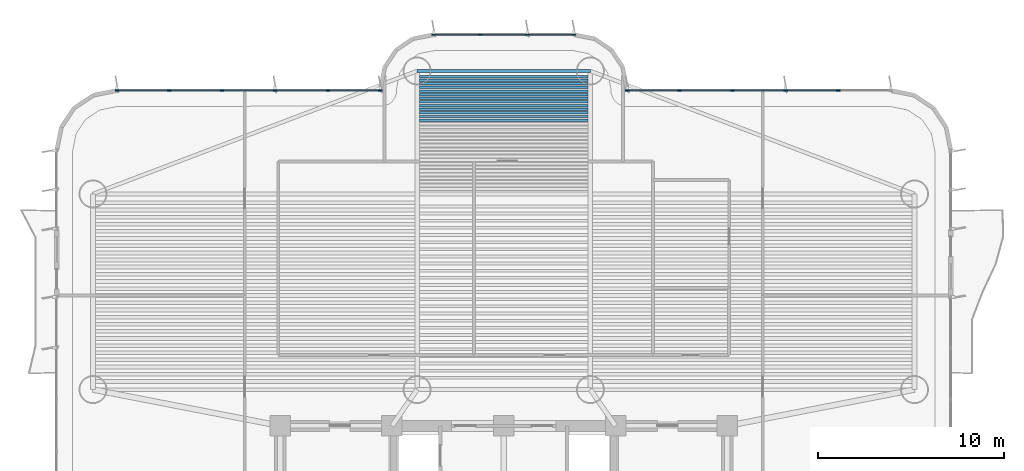
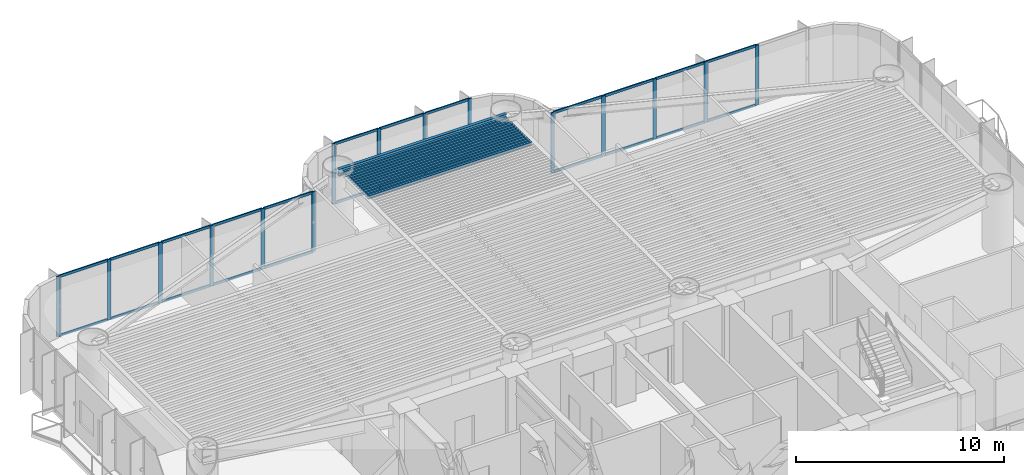
# One storey, part 7 of 17: 39 members, 14 beams, 3 elements without a shape of their own.
"""IFC4 building model written with IfcOpenShell, lengths in metres."""

from ifc_helpers import new_model, si_unit, direction, frame, origin, origin_2d, place, context, subcontext, project, spatial, rectangle, i_section, extrude, source, transform, mapped, material, layer, layer_set, material_profile, profile_set, type_object, element, aggregate, save


model = new_model("IFC4")

# Units and contexts
model_context = context("Model", 3, precision=1e-05, world=origin(), true_north=direction((0.0, 1.0)))
body_context = subcontext(model_context, "Body", "Model", "MODEL_VIEW")
ifc_project = project(units=[si_unit("LENGTHUNIT", "METRE"), si_unit("AREAUNIT", "SQUARE_METRE"), si_unit("VOLUMEUNIT", "CUBIC_METRE"), si_unit("PLANEANGLEUNIT", "RADIAN"), si_unit("MASSUNIT", "GRAM", prefix="KILO")], contexts=[model_context])

# Site, building, storey
site_placement = place(None, origin())
site = spatial("IfcSite", under=ifc_project, at=site_placement, CompositionType="ELEMENT")
building_placement = place(site_placement, origin())
building = spatial("IfcBuilding", under=site, at=building_placement, Name="Brelvock Crest Care Tower", CompositionType="ELEMENT")
storey_placement = place(building_placement, frame((0.0, 0.0, 49.679931640625)))
storey = spatial("IfcBuildingStorey", under=building, at=storey_placement, Name="L12", CompositionType="ELEMENT", Elevation=49.679931640625)

# Beams
ifc_material_1 = material(Name="Steel Grade 350", Category="steel")
ifc_material_profile_1 = material_profile(ifc_material_1, i_section(OverallWidth=0.177978515625, OverallDepth=0.406005859375, WebThickness=0.0078125, FlangeThickness=0.0126953125, FilletRadius=0.011474609375, at=origin_2d()), Name="410UB59.7")
ifc_profile_set_1 = profile_set([ifc_material_profile_1], Name="Steel Grade 350")
beam_type_1 = type_object("IfcBeamType", Name="BM-SP1", PredefinedType="SPANDREL", material=ifc_profile_set_1)
shared_shape_1 = source(origin(), body_context, "Body", "SweptSolid", [
    extrude(i_section(OverallWidth=0.177978515625, OverallDepth=0.406005859375, WebThickness=0.0078125, FlangeThickness=0.0126953125, FilletRadius=0.011474609375, at=origin_2d()), origin(), (0.0, 0.0, 1.0), 9.2998046875),
])
beam_placement = place(storey_placement, frame((31.35009765625, 37.050048828125, 3.3271484375), z_axis=(1.0, 0.0, 0.0), x_axis=(0.0, 1.0, 0.0)))
element("IfcBeam", 1, at=beam_placement, inside=storey, type_object=beam_type_1, Name="BM-TWR-L12-08", PredefinedType="SPANDREL", context=body_context, shape_type="MappedRepresentation", body=[
    mapped(shared_shape_1, transform((0.0, 0.0, 0.0), x_axis=(1.0, 0.0, 0.0), y_axis=(0.0, 1.0, 0.0), z_axis=(0.0, 0.0, 1.0), scale=1.0)),
])
ifc_material_profile_2 = material_profile(ifc_material_1, i_section(OverallWidth=0.134033203125, OverallDepth=0.20703125, WebThickness=0.00634765625, FlangeThickness=0.009521484375, FilletRadius=0.0087890625, at=origin_2d()), Name="200UB29.8")
ifc_profile_set_2 = profile_set([ifc_material_profile_2], Name="Steel Grade 350")
beam_type_2 = type_object("IfcBeamType", Name="BM-J4", PredefinedType="JOIST", material=ifc_profile_set_2)
shared_shape_2 = source(origin(), body_context, "Body", "SweptSolid", [
    extrude(i_section(OverallWidth=0.134033203125, OverallDepth=0.20703125, WebThickness=0.00634765625, FlangeThickness=0.009521484375, FilletRadius=0.0087890625, at=origin_2d()), origin(), (0.0, 0.0, 1.0), 9.06982421875),
])
for number, where, z_axis, x_axis, name in (
    (2, (31.465087890625, 34.413330078125, 3.426513671875), (1.0, 0.0, 0.0), (0.0, 1.0, 0.0), "BM-JN-L12-20"),
    (3, (31.465087890625, 34.60791015625, 3.426513671875), (1.0, 0.0, 0.0), (0.0, 1.0, 0.0), "BM-JN-L12-21"),
    (4, (31.465087890625, 34.802734375, 3.426513671875), (1.0, 0.0, 0.0), (0.0, 1.0, 0.0), "BM-JN-L12-22"),
    (5, (31.465087890625, 34.997314453125, 3.426513671875), (1.0, 0.0, 0.0), (0.0, 1.0, 0.0), "BM-JN-L12-23"),
    (6, (31.465087890625, 35.192138671875, 3.426513671875), (1.0, 0.0, 0.0), (0.0, 1.0, 0.0), "BM-JN-L12-24"),
    (7, (31.465087890625, 35.38671875, 3.426513671875), (1.0, 0.0, 0.0), (0.0, 1.0, 0.0), "BM-JN-L12-25"),
    (8, (31.465087890625, 35.58154296875, 3.426513671875), (1.0, 0.0, 0.0), (0.0, 1.0, 0.0), "BM-JN-L12-26"),
    (9, (31.465087890625, 35.776123046875, 3.426513671875), (1.0, 0.0, 0.0), (0.0, 1.0, 0.0), "BM-JN-L12-27"),
    (10, (31.465087890625, 35.970947265625, 3.426513671875), (1.0, 0.0, 0.0), (0.0, 1.0, 0.0), "BM-JN-L12-28"),
    (11, (31.465087890625, 36.16552734375, 3.426513671875), (1.0, 0.0, 0.0), (0.0, 1.0, 0.0), "BM-JN-L12-29"),
    (12, (31.465087890625, 36.3603515625, 3.426513671875), (1.0, 0.0, 0.0), (0.0, 1.0, 0.0), "BM-JN-L12-30"),
    (13, (31.465087890625, 36.554931640625, 3.426513671875), (1.0, 0.0, 0.0), (0.0, 1.0, 0.0), "BM-JN-L12-31"),
    (14, (31.465087890625, 36.749755859375, 3.426513671875), (1.0, 0.0, 0.0), (0.0, 1.0, 0.0), "BM-JN-L12-32"),
):
    element("IfcBeam", number, at=place(storey_placement, frame(where, z_axis=z_axis, x_axis=x_axis)), inside=storey, type_object=beam_type_2, Name=name, PredefinedType="JOIST", context=body_context, shape_type="MappedRepresentation", body=[
        mapped(shared_shape_2, transform((0.0, 0.0, 0.0), x_axis=(1.0, 0.0, 0.0), y_axis=(0.0, 1.0, 0.0), z_axis=(0.0, 0.0, 1.0), scale=1.0)),
    ])

# Curtain wall, members
ifc_material_2 = material(Name="Dark Glass Double Glazed Low-E", Category="glass")
ifc_layer = layer(ifc_material_2, 0.195068359375, Name="CWS-2")
ifc_layer_set = layer_set([ifc_layer], Name="Dark Glass Double Glazed Low-E")
curtain_wall_type = type_object("IfcCurtainWallType", Name="CWS-2", PredefinedType="NOTDEFINED", material=ifc_layer_set)
curtain_wall_1_placement = place(storey_placement, origin())
curtain_wall_1 = element("IfcCurtainWall", 15, at=curtain_wall_1_placement, inside=storey, type_object=curtain_wall_type, Name="L12 Curtain Wall E18", PredefinedType="NOTDEFINED")
ifc_material_3 = material(Name="Aluminium 6063-T6", Category="aluminium")
ifc_material_profile_3 = material_profile(ifc_material_3, rectangle(XDim=0.06494140625, YDim=0.199951171875, at=origin_2d()), Name="ALU65x200")
ifc_profile_set_3 = profile_set([ifc_material_profile_3], Name="Aluminium 6063-T6")
member_type_1 = type_object("IfcMemberType", Name="CWM-1", PredefinedType="MULLION", material=ifc_profile_set_3)
shared_shape_3 = source(origin(), body_context, "Body", "SweptSolid", [
    extrude(rectangle(XDim=0.06494140625, YDim=0.199951171875, at=origin_2d()), origin(), (0.0, 0.0, 1.0), 3.530029296875),
])
member_1_placement = place(storey_placement, frame((15.232421875, 36.0, 0.0), z_axis=(0.0, 0.0, 1.0), x_axis=(0.0, 1.0, 0.0)))
member_1 = element("IfcMember", 16, at=member_1_placement, type_object=member_type_1, Name="CW-2 mullion 1", PredefinedType="MULLION", context=body_context, shape_type="MappedRepresentation", body=[
    mapped(shared_shape_3, transform((0.0, 0.0, 0.0), x_axis=(1.0, 0.0, 0.0), y_axis=(0.0, 1.0, 0.0), z_axis=(0.0, 0.0, 1.0), scale=1.0)),
])
member_2_placement = place(storey_placement, frame((18.0400390625, 36.0, 0.0), z_axis=(0.0, 0.0, 1.0), x_axis=(0.0, 1.0, 0.0)))
member_2 = element("IfcMember", 17, at=member_2_placement, type_object=member_type_1, Name="CW-2 mullion 2", PredefinedType="MULLION", context=body_context, shape_type="MappedRepresentation", body=[
    mapped(shared_shape_3, transform((0.0, 0.0, 0.0), x_axis=(1.0, 0.0, 0.0), y_axis=(0.0, 1.0, 0.0), z_axis=(0.0, 0.0, 1.0), scale=1.0)),
])
member_3_placement = place(storey_placement, frame((20.8798828125, 36.0, 0.0), z_axis=(0.0, 0.0, 1.0), x_axis=(0.0, 1.0, 0.0)))
member_3 = element("IfcMember", 18, at=member_3_placement, type_object=member_type_1, Name="CW-2 mullion 3", PredefinedType="MULLION", context=body_context, shape_type="MappedRepresentation", body=[
    mapped(shared_shape_3, transform((0.0, 0.0, 0.0), x_axis=(1.0, 0.0, 0.0), y_axis=(0.0, 1.0, 0.0), z_axis=(0.0, 0.0, 1.0), scale=1.0)),
])
member_4_placement = place(storey_placement, frame((23.719970703125, 36.0, 0.0), z_axis=(0.0, 0.0, 1.0), x_axis=(0.0, 1.0, 0.0)))
member_4 = element("IfcMember", 19, at=member_4_placement, type_object=member_type_1, Name="CW-2 mullion 4", PredefinedType="MULLION", context=body_context, shape_type="MappedRepresentation", body=[
    mapped(shared_shape_3, transform((0.0, 0.0, 0.0), x_axis=(1.0, 0.0, 0.0), y_axis=(0.0, 1.0, 0.0), z_axis=(0.0, 0.0, 1.0), scale=1.0)),
])
member_5_placement = place(storey_placement, frame((26.56005859375, 36.0, 0.0), z_axis=(0.0, 0.0, 1.0), x_axis=(0.0, 1.0, 0.0)))
member_5 = element("IfcMember", 20, at=member_5_placement, type_object=member_type_1, Name="CW-2 mullion 5", PredefinedType="MULLION", context=body_context, shape_type="MappedRepresentation", body=[
    mapped(shared_shape_3, transform((0.0, 0.0, 0.0), x_axis=(1.0, 0.0, 0.0), y_axis=(0.0, 1.0, 0.0), z_axis=(0.0, 0.0, 1.0), scale=1.0)),
])
member_6_placement = place(storey_placement, frame((29.367431640625, 36.0, 0.0), z_axis=(0.0, 0.0, 1.0), x_axis=(0.0, 1.0, 0.0)))
member_6 = element("IfcMember", 21, at=member_6_placement, type_object=member_type_1, Name="CW-2 mullion 6", PredefinedType="MULLION", context=body_context, shape_type="MappedRepresentation", body=[
    mapped(shared_shape_3, transform((0.0, 0.0, 0.0), x_axis=(1.0, 0.0, 0.0), y_axis=(0.0, 1.0, 0.0), z_axis=(0.0, 0.0, 1.0), scale=1.0)),
])

curtain_wall_2_placement = place(storey_placement, origin())
curtain_wall_2 = element("IfcCurtainWall", 22, at=curtain_wall_2_placement, inside=storey, type_object=curtain_wall_type, Name="L12 Curtain Wall E24", PredefinedType="NOTDEFINED")
member_7_placement = place(storey_placement, frame((32.232421875, 39.0, 0.0), z_axis=(0.0, 0.0, 1.0), x_axis=(0.0, 1.0, 0.0)))
member_7 = element("IfcMember", 23, at=member_7_placement, type_object=member_type_1, Name="CW-2 mullion 1", PredefinedType="MULLION", context=body_context, shape_type="MappedRepresentation", body=[
    mapped(shared_shape_3, transform((0.0, 0.0, 0.0), x_axis=(1.0, 0.0, 0.0), y_axis=(0.0, 1.0, 0.0), z_axis=(0.0, 0.0, 1.0), scale=1.0)),
])
member_8_placement = place(storey_placement, frame((34.7333984375, 39.0, 0.0), z_axis=(0.0, 0.0, 1.0), x_axis=(0.0, 1.0, 0.0)))
member_8 = element("IfcMember", 24, at=member_8_placement, type_object=member_type_1, Name="CW-2 mullion 2", PredefinedType="MULLION", context=body_context, shape_type="MappedRepresentation", body=[
    mapped(shared_shape_3, transform((0.0, 0.0, 0.0), x_axis=(1.0, 0.0, 0.0), y_axis=(0.0, 1.0, 0.0), z_axis=(0.0, 0.0, 1.0), scale=1.0)),
])
member_9_placement = place(storey_placement, frame((37.2666015625, 39.0, 0.0), z_axis=(0.0, 0.0, 1.0), x_axis=(0.0, 1.0, 0.0)))
member_9 = element("IfcMember", 25, at=member_9_placement, type_object=member_type_1, Name="CW-2 mullion 3", PredefinedType="MULLION", context=body_context, shape_type="MappedRepresentation", body=[
    mapped(shared_shape_3, transform((0.0, 0.0, 0.0), x_axis=(1.0, 0.0, 0.0), y_axis=(0.0, 1.0, 0.0), z_axis=(0.0, 0.0, 1.0), scale=1.0)),
])
member_10_placement = place(storey_placement, frame((39.767578125, 39.0, 0.0), z_axis=(0.0, 0.0, 1.0), x_axis=(0.0, 1.0, 0.0)))
member_10 = element("IfcMember", 26, at=member_10_placement, type_object=member_type_1, Name="CW-2 mullion 4", PredefinedType="MULLION", context=body_context, shape_type="MappedRepresentation", body=[
    mapped(shared_shape_3, transform((0.0, 0.0, 0.0), x_axis=(1.0, 0.0, 0.0), y_axis=(0.0, 1.0, 0.0), z_axis=(0.0, 0.0, 1.0), scale=1.0)),
])

curtain_wall_3_placement = place(storey_placement, origin())
curtain_wall_3 = element("IfcCurtainWall", 27, at=curtain_wall_3_placement, inside=storey, type_object=curtain_wall_type, Name="L12 Curtain Wall E30", PredefinedType="NOTDEFINED")
member_11_placement = place(storey_placement, frame((42.632568359375, 36.0, 0.0), z_axis=(0.0, 0.0, 1.0), x_axis=(0.0, 1.0, 0.0)))
member_11 = element("IfcMember", 28, at=member_11_placement, type_object=member_type_1, Name="CW-2 mullion 1", PredefinedType="MULLION", context=body_context, shape_type="MappedRepresentation", body=[
    mapped(shared_shape_3, transform((0.0, 0.0, 0.0), x_axis=(1.0, 0.0, 0.0), y_axis=(0.0, 1.0, 0.0), z_axis=(0.0, 0.0, 1.0), scale=1.0)),
])
member_12_placement = place(storey_placement, frame((45.43994140625, 36.0, 0.0), z_axis=(0.0, 0.0, 1.0), x_axis=(0.0, 1.0, 0.0)))
member_12 = element("IfcMember", 29, at=member_12_placement, type_object=member_type_1, Name="CW-2 mullion 2", PredefinedType="MULLION", context=body_context, shape_type="MappedRepresentation", body=[
    mapped(shared_shape_3, transform((0.0, 0.0, 0.0), x_axis=(1.0, 0.0, 0.0), y_axis=(0.0, 1.0, 0.0), z_axis=(0.0, 0.0, 1.0), scale=1.0)),
])
member_13_placement = place(storey_placement, frame((48.280029296875, 36.0, 0.0), z_axis=(0.0, 0.0, 1.0), x_axis=(0.0, 1.0, 0.0)))
member_13 = element("IfcMember", 30, at=member_13_placement, type_object=member_type_1, Name="CW-2 mullion 3", PredefinedType="MULLION", context=body_context, shape_type="MappedRepresentation", body=[
    mapped(shared_shape_3, transform((0.0, 0.0, 0.0), x_axis=(1.0, 0.0, 0.0), y_axis=(0.0, 1.0, 0.0), z_axis=(0.0, 0.0, 1.0), scale=1.0)),
])
member_14_placement = place(storey_placement, frame((51.1201171875, 36.0, 0.0), z_axis=(0.0, 0.0, 1.0), x_axis=(0.0, 1.0, 0.0)))
member_14 = element("IfcMember", 31, at=member_14_placement, type_object=member_type_1, Name="CW-2 mullion 4", PredefinedType="MULLION", context=body_context, shape_type="MappedRepresentation", body=[
    mapped(shared_shape_3, transform((0.0, 0.0, 0.0), x_axis=(1.0, 0.0, 0.0), y_axis=(0.0, 1.0, 0.0), z_axis=(0.0, 0.0, 1.0), scale=1.0)),
])
member_15_placement = place(storey_placement, frame((53.9599609375, 36.0, 0.0), z_axis=(0.0, 0.0, 1.0), x_axis=(0.0, 1.0, 0.0)))
member_15 = element("IfcMember", 32, at=member_15_placement, type_object=member_type_1, Name="CW-2 mullion 5", PredefinedType="MULLION", context=body_context, shape_type="MappedRepresentation", body=[
    mapped(shared_shape_3, transform((0.0, 0.0, 0.0), x_axis=(1.0, 0.0, 0.0), y_axis=(0.0, 1.0, 0.0), z_axis=(0.0, 0.0, 1.0), scale=1.0)),
])

# Member
ifc_material_profile_4 = material_profile(ifc_material_3, rectangle(XDim=0.06494140625, YDim=0.14990234375, at=origin_2d()), Name="ALU65x150")
ifc_profile_set_4 = profile_set([ifc_material_profile_4], Name="Aluminium 6063-T6")
member_type_2 = type_object("IfcMemberType", Name="CWT-1", PredefinedType="USERDEFINED", material=ifc_profile_set_4)
shared_shape_4 = source(origin(), body_context, "Body", "SweptSolid", [
    extrude(rectangle(XDim=0.06494140625, YDim=0.14990234375, at=origin_2d()), origin(), (0.0, 0.0, 1.0), 2.74267578125),
])
member_16_placement = place(storey_placement, frame((15.264892578125, 36.0, 0.032470703125), z_axis=(1.0, 0.0, 0.0), x_axis=(0.0, 1.0, 0.0)))
member_16 = element("IfcMember", 33, at=member_16_placement, type_object=member_type_2, Name="CW-2 transom 1.1", ObjectType="TRANSOM", PredefinedType="USERDEFINED", context=body_context, shape_type="MappedRepresentation", body=[
    mapped(shared_shape_4, transform((0.0, 0.0, 0.0), x_axis=(1.0, 0.0, 0.0), y_axis=(0.0, 1.0, 0.0), z_axis=(0.0, 0.0, 1.0), scale=1.0)),
])

member_17_placement = place(storey_placement, frame((15.264892578125, 36.0, 3.49755859375), z_axis=(1.0, 0.0, 0.0), x_axis=(0.0, 1.0, 0.0)))
member_17 = element("IfcMember", 34, at=member_17_placement, type_object=member_type_2, Name="CW-2 transom 1.2", ObjectType="TRANSOM", PredefinedType="USERDEFINED", context=body_context, shape_type="MappedRepresentation", body=[
    mapped(shared_shape_4, transform((0.0, 0.0, 0.0), x_axis=(1.0, 0.0, 0.0), y_axis=(0.0, 1.0, 0.0), z_axis=(0.0, 0.0, 1.0), scale=1.0)),
])

shared_shape_5 = source(origin(), body_context, "Body", "SweptSolid", [
    extrude(rectangle(XDim=0.06494140625, YDim=0.14990234375, at=origin_2d()), origin(), (0.0, 0.0, 1.0), 2.77490234375),
])
member_18_placement = place(storey_placement, frame((18.072509765625, 36.0, 0.032470703125), z_axis=(1.0, 0.0, 0.0), x_axis=(0.0, 1.0, 0.0)))
member_18 = element("IfcMember", 35, at=member_18_placement, type_object=member_type_2, Name="CW-2 transom 2.1", ObjectType="TRANSOM", PredefinedType="USERDEFINED", context=body_context, shape_type="MappedRepresentation", body=[
    mapped(shared_shape_5, transform((0.0, 0.0, 0.0), x_axis=(1.0, 0.0, 0.0), y_axis=(0.0, 1.0, 0.0), z_axis=(0.0, 0.0, 1.0), scale=1.0)),
])

member_19_placement = place(storey_placement, frame((18.072509765625, 36.0, 3.49755859375), z_axis=(1.0, 0.0, 0.0), x_axis=(0.0, 1.0, 0.0)))
member_19 = element("IfcMember", 36, at=member_19_placement, type_object=member_type_2, Name="CW-2 transom 2.2", ObjectType="TRANSOM", PredefinedType="USERDEFINED", context=body_context, shape_type="MappedRepresentation", body=[
    mapped(shared_shape_5, transform((0.0, 0.0, 0.0), x_axis=(1.0, 0.0, 0.0), y_axis=(0.0, 1.0, 0.0), z_axis=(0.0, 0.0, 1.0), scale=1.0)),
])

member_20_placement = place(storey_placement, frame((20.91259765625, 36.0, 0.032470703125), z_axis=(1.0, 0.0, 0.0), x_axis=(0.0, 1.0, 0.0)))
member_20 = element("IfcMember", 37, at=member_20_placement, type_object=member_type_2, Name="CW-2 transom 3.1", ObjectType="TRANSOM", PredefinedType="USERDEFINED", context=body_context, shape_type="MappedRepresentation", body=[
    mapped(shared_shape_5, transform((0.0, 0.0, 0.0), x_axis=(1.0, 0.0, 0.0), y_axis=(0.0, 1.0, 0.0), z_axis=(0.0, 0.0, 1.0), scale=1.0)),
])

member_21_placement = place(storey_placement, frame((20.91259765625, 36.0, 3.49755859375), z_axis=(1.0, 0.0, 0.0), x_axis=(0.0, 1.0, 0.0)))
member_21 = element("IfcMember", 38, at=member_21_placement, type_object=member_type_2, Name="CW-2 transom 3.2", ObjectType="TRANSOM", PredefinedType="USERDEFINED", context=body_context, shape_type="MappedRepresentation", body=[
    mapped(shared_shape_5, transform((0.0, 0.0, 0.0), x_axis=(1.0, 0.0, 0.0), y_axis=(0.0, 1.0, 0.0), z_axis=(0.0, 0.0, 1.0), scale=1.0)),
])

member_22_placement = place(storey_placement, frame((48.3125, 36.0, 0.032470703125), z_axis=(1.0, 0.0, 0.0), x_axis=(0.0, 1.0, 0.0)))
member_22 = element("IfcMember", 39, at=member_22_placement, type_object=member_type_2, Name="CW-2 transom 3.1", ObjectType="TRANSOM", PredefinedType="USERDEFINED", context=body_context, shape_type="MappedRepresentation", body=[
    mapped(shared_shape_5, transform((0.0, 0.0, 0.0), x_axis=(1.0, 0.0, 0.0), y_axis=(0.0, 1.0, 0.0), z_axis=(0.0, 0.0, 1.0), scale=1.0)),
])

member_23_placement = place(storey_placement, frame((48.3125, 36.0, 3.49755859375), z_axis=(1.0, 0.0, 0.0), x_axis=(0.0, 1.0, 0.0)))
member_23 = element("IfcMember", 40, at=member_23_placement, type_object=member_type_2, Name="CW-2 transom 3.2", ObjectType="TRANSOM", PredefinedType="USERDEFINED", context=body_context, shape_type="MappedRepresentation", body=[
    mapped(shared_shape_5, transform((0.0, 0.0, 0.0), x_axis=(1.0, 0.0, 0.0), y_axis=(0.0, 1.0, 0.0), z_axis=(0.0, 0.0, 1.0), scale=1.0)),
])

member_24_placement = place(storey_placement, frame((51.152587890625, 36.0, 0.032470703125), z_axis=(1.0, 0.0, 0.0), x_axis=(0.0, 1.0, 0.0)))
member_24 = element("IfcMember", 41, at=member_24_placement, type_object=member_type_2, Name="CW-2 transom 4.1", ObjectType="TRANSOM", PredefinedType="USERDEFINED", context=body_context, shape_type="MappedRepresentation", body=[
    mapped(shared_shape_5, transform((0.0, 0.0, 0.0), x_axis=(1.0, 0.0, 0.0), y_axis=(0.0, 1.0, 0.0), z_axis=(0.0, 0.0, 1.0), scale=1.0)),
])

member_25_placement = place(storey_placement, frame((51.152587890625, 36.0, 3.49755859375), z_axis=(1.0, 0.0, 0.0), x_axis=(0.0, 1.0, 0.0)))
member_25 = element("IfcMember", 42, at=member_25_placement, type_object=member_type_2, Name="CW-2 transom 4.2", ObjectType="TRANSOM", PredefinedType="USERDEFINED", context=body_context, shape_type="MappedRepresentation", body=[
    mapped(shared_shape_5, transform((0.0, 0.0, 0.0), x_axis=(1.0, 0.0, 0.0), y_axis=(0.0, 1.0, 0.0), z_axis=(0.0, 0.0, 1.0), scale=1.0)),
])

shared_shape_6 = source(origin(), body_context, "Body", "SweptSolid", [
    extrude(rectangle(XDim=0.06494140625, YDim=0.14990234375, at=origin_2d()), origin(), (0.0, 0.0, 1.0), 2.775146484375),
])
member_26_placement = place(storey_placement, frame((23.75244140625, 36.0, 0.032470703125), z_axis=(1.0, 0.0, 0.0), x_axis=(0.0, 1.0, 0.0)))
member_26 = element("IfcMember", 43, at=member_26_placement, type_object=member_type_2, Name="CW-2 transom 4.1", ObjectType="TRANSOM", PredefinedType="USERDEFINED", context=body_context, shape_type="MappedRepresentation", body=[
    mapped(shared_shape_6, transform((0.0, 0.0, 0.0), x_axis=(1.0, 0.0, 0.0), y_axis=(0.0, 1.0, 0.0), z_axis=(0.0, 0.0, 1.0), scale=1.0)),
])

member_27_placement = place(storey_placement, frame((23.75244140625, 36.0, 3.49755859375), z_axis=(1.0, 0.0, 0.0), x_axis=(0.0, 1.0, 0.0)))
member_27 = element("IfcMember", 44, at=member_27_placement, type_object=member_type_2, Name="CW-2 transom 4.2", ObjectType="TRANSOM", PredefinedType="USERDEFINED", context=body_context, shape_type="MappedRepresentation", body=[
    mapped(shared_shape_6, transform((0.0, 0.0, 0.0), x_axis=(1.0, 0.0, 0.0), y_axis=(0.0, 1.0, 0.0), z_axis=(0.0, 0.0, 1.0), scale=1.0)),
])

member_28_placement = place(storey_placement, frame((45.472412109375, 36.0, 0.032470703125), z_axis=(1.0, 0.0, 0.0), x_axis=(0.0, 1.0, 0.0)))
member_28 = element("IfcMember", 45, at=member_28_placement, type_object=member_type_2, Name="CW-2 transom 2.1", ObjectType="TRANSOM", PredefinedType="USERDEFINED", context=body_context, shape_type="MappedRepresentation", body=[
    mapped(shared_shape_6, transform((0.0, 0.0, 0.0), x_axis=(1.0, 0.0, 0.0), y_axis=(0.0, 1.0, 0.0), z_axis=(0.0, 0.0, 1.0), scale=1.0)),
])

member_29_placement = place(storey_placement, frame((45.472412109375, 36.0, 3.49755859375), z_axis=(1.0, 0.0, 0.0), x_axis=(0.0, 1.0, 0.0)))
member_29 = element("IfcMember", 46, at=member_29_placement, type_object=member_type_2, Name="CW-2 transom 2.2", ObjectType="TRANSOM", PredefinedType="USERDEFINED", context=body_context, shape_type="MappedRepresentation", body=[
    mapped(shared_shape_6, transform((0.0, 0.0, 0.0), x_axis=(1.0, 0.0, 0.0), y_axis=(0.0, 1.0, 0.0), z_axis=(0.0, 0.0, 1.0), scale=1.0)),
])

shared_shape_7 = source(origin(), body_context, "Body", "SweptSolid", [
    extrude(rectangle(XDim=0.06494140625, YDim=0.14990234375, at=origin_2d()), origin(), (0.0, 0.0, 1.0), 2.742431640625),
])
member_30_placement = place(storey_placement, frame((26.592529296875, 36.0, 0.032470703125), z_axis=(1.0, 0.0, 0.0), x_axis=(0.0, 1.0, 0.0)))
member_30 = element("IfcMember", 47, at=member_30_placement, type_object=member_type_2, Name="CW-2 transom 5.1", ObjectType="TRANSOM", PredefinedType="USERDEFINED", context=body_context, shape_type="MappedRepresentation", body=[
    mapped(shared_shape_7, transform((0.0, 0.0, 0.0), x_axis=(1.0, 0.0, 0.0), y_axis=(0.0, 1.0, 0.0), z_axis=(0.0, 0.0, 1.0), scale=1.0)),
])

member_31_placement = place(storey_placement, frame((26.592529296875, 36.0, 3.49755859375), z_axis=(1.0, 0.0, 0.0), x_axis=(0.0, 1.0, 0.0)))
member_31 = element("IfcMember", 48, at=member_31_placement, type_object=member_type_2, Name="CW-2 transom 5.2", ObjectType="TRANSOM", PredefinedType="USERDEFINED", context=body_context, shape_type="MappedRepresentation", body=[
    mapped(shared_shape_7, transform((0.0, 0.0, 0.0), x_axis=(1.0, 0.0, 0.0), y_axis=(0.0, 1.0, 0.0), z_axis=(0.0, 0.0, 1.0), scale=1.0)),
])

aggregate(curtain_wall_1, [member_1, member_2, member_3, member_4, member_5, member_6, member_16, member_17, member_18, member_19, member_20, member_21, member_26, member_27, member_30, member_31])

member_32_placement = place(storey_placement, frame((42.6650390625, 36.0, 0.032470703125), z_axis=(1.0, 0.0, 0.0), x_axis=(0.0, 1.0, 0.0)))
member_32 = element("IfcMember", 49, at=member_32_placement, type_object=member_type_2, Name="CW-2 transom 1.1", ObjectType="TRANSOM", PredefinedType="USERDEFINED", context=body_context, shape_type="MappedRepresentation", body=[
    mapped(shared_shape_7, transform((0.0, 0.0, 0.0), x_axis=(1.0, 0.0, 0.0), y_axis=(0.0, 1.0, 0.0), z_axis=(0.0, 0.0, 1.0), scale=1.0)),
])

member_33_placement = place(storey_placement, frame((42.6650390625, 36.0, 3.49755859375), z_axis=(1.0, 0.0, 0.0), x_axis=(0.0, 1.0, 0.0)))
member_33 = element("IfcMember", 50, at=member_33_placement, type_object=member_type_2, Name="CW-2 transom 1.2", ObjectType="TRANSOM", PredefinedType="USERDEFINED", context=body_context, shape_type="MappedRepresentation", body=[
    mapped(shared_shape_7, transform((0.0, 0.0, 0.0), x_axis=(1.0, 0.0, 0.0), y_axis=(0.0, 1.0, 0.0), z_axis=(0.0, 0.0, 1.0), scale=1.0)),
])

aggregate(curtain_wall_3, [member_11, member_12, member_13, member_14, member_15, member_32, member_33, member_28, member_29, member_22, member_23, member_24, member_25])

shared_shape_8 = source(origin(), body_context, "Body", "SweptSolid", [
    extrude(rectangle(XDim=0.06494140625, YDim=0.14990234375, at=origin_2d()), origin(), (0.0, 0.0, 1.0), 2.43603515625),
])
member_34_placement = place(storey_placement, frame((32.264892578125, 39.0, 0.032470703125), z_axis=(1.0, 0.0, 0.0), x_axis=(0.0, 1.0, 0.0)))
member_34 = element("IfcMember", 51, at=member_34_placement, type_object=member_type_2, Name="CW-2 transom 1.1", ObjectType="TRANSOM", PredefinedType="USERDEFINED", context=body_context, shape_type="MappedRepresentation", body=[
    mapped(shared_shape_8, transform((0.0, 0.0, 0.0), x_axis=(1.0, 0.0, 0.0), y_axis=(0.0, 1.0, 0.0), z_axis=(0.0, 0.0, 1.0), scale=1.0)),
])

member_35_placement = place(storey_placement, frame((32.264892578125, 39.0, 3.49755859375), z_axis=(1.0, 0.0, 0.0), x_axis=(0.0, 1.0, 0.0)))
member_35 = element("IfcMember", 52, at=member_35_placement, type_object=member_type_2, Name="CW-2 transom 1.2", ObjectType="TRANSOM", PredefinedType="USERDEFINED", context=body_context, shape_type="MappedRepresentation", body=[
    mapped(shared_shape_8, transform((0.0, 0.0, 0.0), x_axis=(1.0, 0.0, 0.0), y_axis=(0.0, 1.0, 0.0), z_axis=(0.0, 0.0, 1.0), scale=1.0)),
])

member_36_placement = place(storey_placement, frame((37.299072265625, 39.0, 0.032470703125), z_axis=(1.0, 0.0, 0.0), x_axis=(0.0, 1.0, 0.0)))
member_36 = element("IfcMember", 53, at=member_36_placement, type_object=member_type_2, Name="CW-2 transom 3.1", ObjectType="TRANSOM", PredefinedType="USERDEFINED", context=body_context, shape_type="MappedRepresentation", body=[
    mapped(shared_shape_8, transform((0.0, 0.0, 0.0), x_axis=(1.0, 0.0, 0.0), y_axis=(0.0, 1.0, 0.0), z_axis=(0.0, 0.0, 1.0), scale=1.0)),
])

member_37_placement = place(storey_placement, frame((37.299072265625, 39.0, 3.49755859375), z_axis=(1.0, 0.0, 0.0), x_axis=(0.0, 1.0, 0.0)))
member_37 = element("IfcMember", 54, at=member_37_placement, type_object=member_type_2, Name="CW-2 transom 3.2", ObjectType="TRANSOM", PredefinedType="USERDEFINED", context=body_context, shape_type="MappedRepresentation", body=[
    mapped(shared_shape_8, transform((0.0, 0.0, 0.0), x_axis=(1.0, 0.0, 0.0), y_axis=(0.0, 1.0, 0.0), z_axis=(0.0, 0.0, 1.0), scale=1.0)),
])

shared_shape_9 = source(origin(), body_context, "Body", "SweptSolid", [
    extrude(rectangle(XDim=0.06494140625, YDim=0.14990234375, at=origin_2d()), origin(), (0.0, 0.0, 1.0), 2.46826171875),
])
member_38_placement = place(storey_placement, frame((34.765869140625, 39.0, 0.032470703125), z_axis=(1.0, 0.0, 0.0), x_axis=(0.0, 1.0, 0.0)))
member_38 = element("IfcMember", 55, at=member_38_placement, type_object=member_type_2, Name="CW-2 transom 2.1", ObjectType="TRANSOM", PredefinedType="USERDEFINED", context=body_context, shape_type="MappedRepresentation", body=[
    mapped(shared_shape_9, transform((0.0, 0.0, 0.0), x_axis=(1.0, 0.0, 0.0), y_axis=(0.0, 1.0, 0.0), z_axis=(0.0, 0.0, 1.0), scale=1.0)),
])

member_39_placement = place(storey_placement, frame((34.765869140625, 39.0, 3.49755859375), z_axis=(1.0, 0.0, 0.0), x_axis=(0.0, 1.0, 0.0)))
member_39 = element("IfcMember", 56, at=member_39_placement, type_object=member_type_2, Name="CW-2 transom 2.2", ObjectType="TRANSOM", PredefinedType="USERDEFINED", context=body_context, shape_type="MappedRepresentation", body=[
    mapped(shared_shape_9, transform((0.0, 0.0, 0.0), x_axis=(1.0, 0.0, 0.0), y_axis=(0.0, 1.0, 0.0), z_axis=(0.0, 0.0, 1.0), scale=1.0)),
])

aggregate(curtain_wall_2, [member_7, member_8, member_9, member_10, member_34, member_35, member_38, member_39, member_36, member_37])

save(model, "model.ifc")
